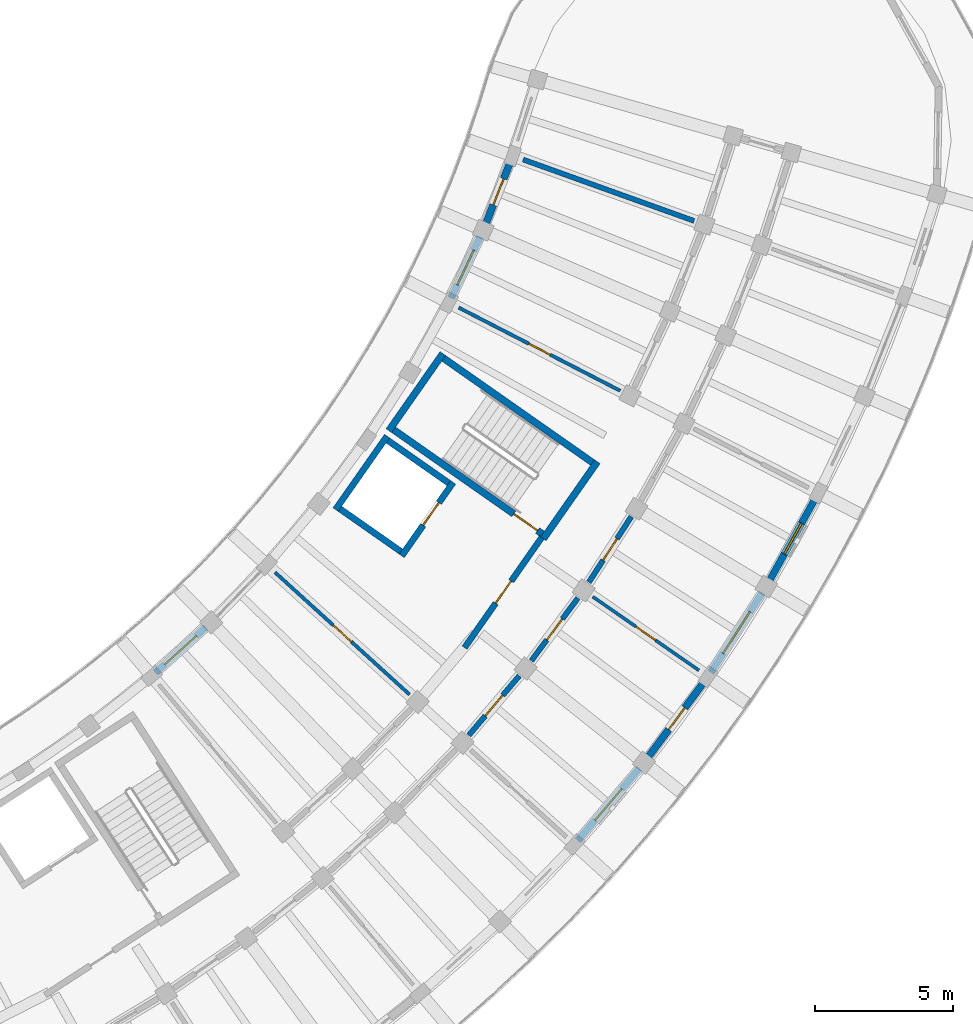
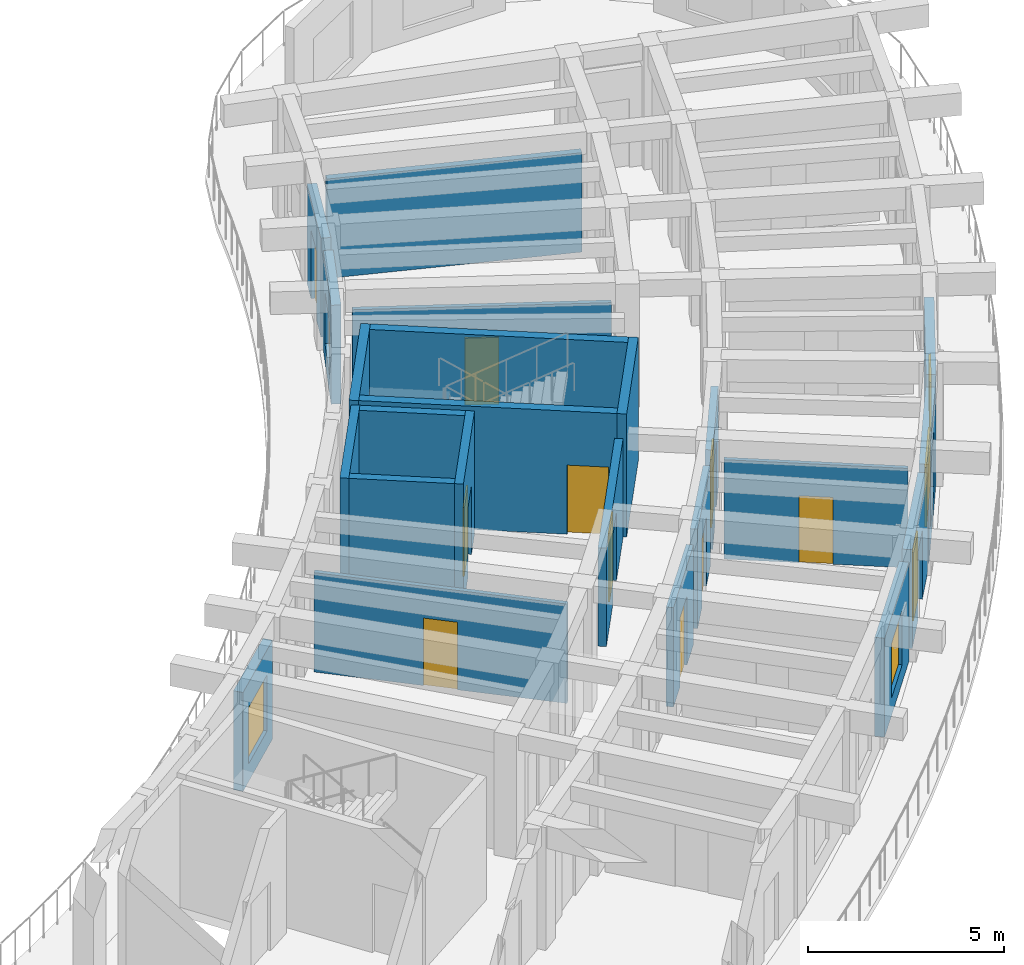
# One storey, part 96 of 128: 23 walls, 11 doors, 5 windows, 16 openings.
"""IFC4 building model written with IfcOpenShell, lengths in metres."""

from ifc_helpers import new_model, si_unit, direction, frame, frame_2d, origin, place, context, subcontext, project, spatial, rectangle, extrude, material, layer, layer_set, type_object, element, fill, save


model = new_model("IFC4")

# Units and contexts
model_context = context("Model", 3, precision=1e-05, world=origin(), true_north=direction((0.0, 1.0)))
body_context = subcontext(model_context, "Body", "Model", "MODEL_VIEW")
ifc_project = project(units=[si_unit("LENGTHUNIT", "METRE"), si_unit("AREAUNIT", "SQUARE_METRE"), si_unit("VOLUMEUNIT", "CUBIC_METRE"), si_unit("PLANEANGLEUNIT", "RADIAN"), si_unit("MASSUNIT", "GRAM", prefix="KILO")], contexts=[model_context])

# Site, building, storey
site_placement = place(None, origin())
site = spatial("IfcSite", under=ifc_project, at=site_placement, CompositionType="ELEMENT")
building_placement = place(site_placement, origin())
building = spatial("IfcBuilding", under=site, at=building_placement, Name="Tanwirah Colonnade Gardens", CompositionType="ELEMENT")
storey_placement = place(building_placement, frame((0.0, 0.0, 4.760009765625)))
storey = spatial("IfcBuildingStorey", under=building, at=storey_placement, Name="L01", CompositionType="ELEMENT", Elevation=4.760009765625)

# Wall, opening, window
ifc_material_1 = material(Name="Limestone architectural precast concrete C40/50", Category="masonry")
ifc_layer_1 = layer(ifc_material_1, 0.260009765625)
ifc_layer_set_1 = layer_set([ifc_layer_1], Name="Limestone architectural precast concrete C40/50")
wall_type_1 = type_object("IfcWallType", Name="EW-PC260", PredefinedType="SOLIDWALL", material=ifc_layer_set_1)
wall_1_placement = place(storey_placement, frame((149.857421875, 30.698486328125, 0.0), z_axis=(0.0, 0.0, 1.0), x_axis=(0.741710549699, 0.670720105905, 0.0)))
wall_1 = element("IfcWall", 1, at=wall_1_placement, inside=storey, type_object=wall_type_1, Name="Block D L01 IN Precast Facade Wall 7", PredefinedType="SOLIDWALL", context=body_context, shape_type="SweptSolid", body=[
    extrude(rectangle(XDim=2.44873046875, YDim=0.260009765625, at=frame_2d((1.224365234375, 0.0))), origin(), (0.0, 0.0, 1.0), 3.074951171875),
])
opening_1_placement = place(wall_1_placement, frame((0.449462890625, 0.0, 0.550048828125)))
opening_1 = element("IfcOpeningElement", 2, at=opening_1_placement, cuts=wall_1, Name="Opening WIN-T09", PredefinedType="OPENING", context=body_context, shape_type="SweptSolid", body=[
    extrude(rectangle(XDim=1.550048828125, YDim=1.75, at=frame_2d((0.77490234375, 0.875))), frame((0.0, 0.139892578125, 0.0), z_axis=(0.0, -1.0, 0.0), x_axis=(1.0, 0.0, 0.0)), (0.0, 0.0, 1.0), 0.280029296875),
])
ifc_material_2 = material(Name="Thermally broken bronze aluminium and solar low-E double glazing", Category="aluminium")
window_type_1 = type_object("IfcWindowType", Name="WIN-T09", PartitioningType="DOUBLE_PANEL_VERTICAL", PredefinedType="WINDOW", material=ifc_material_2)
window_1_placement = place(opening_1_placement, origin())
window_1 = element("IfcWindow", 3, at=window_1_placement, inside=storey, type_object=window_type_1, Name="Facade window D-L01-IN-07", OverallHeight=1.75, OverallWidth=1.550048828125, PartitioningType="SINGLE_PANEL", PredefinedType="WINDOW", context=body_context, shape_type="SweptSolid", body=[
    extrude(rectangle(XDim=1.550048828125, YDim=1.75, at=frame_2d((0.77490234375, 0.875))), frame((0.0, 0.030029296875, 0.0), z_axis=(0.0, -1.0, 0.0), x_axis=(1.0, 0.0, 0.0)), (0.0, 0.0, 1.0), 0.06005859375),
])
fill(opening_1, window_1)

wall_2_placement = place(storey_placement, frame((165.199951171875, 24.6015625, 0.0), z_axis=(0.0, 0.0, 1.0), x_axis=(0.6477968765, 0.7618131049, 0.0)))
wall_2 = element("IfcWall", 4, at=wall_2_placement, inside=storey, type_object=wall_type_1, Name="Block D L01 OUT Precast Facade Wall 9", PredefinedType="SOLIDWALL", context=body_context, shape_type="SweptSolid", body=[
    extrude(rectangle(XDim=3.436767578125, YDim=0.260009765625, at=frame_2d((1.71826171875, 0.0))), origin(), (0.0, 0.0, 1.0), 3.074951171875),
])
opening_2_placement = place(wall_2_placement, frame((0.968505859375, 0.0, 0.550048828125)))
opening_2 = element("IfcOpeningElement", 5, at=opening_2_placement, cuts=wall_2, Name="Opening WIN-T08", PredefinedType="OPENING", context=body_context, shape_type="SweptSolid", body=[
    extrude(rectangle(XDim=1.5, YDim=1.699951171875, at=frame_2d((0.75, 0.85009765625))), frame((0.0, 0.139892578125, 0.0), z_axis=(0.0, -1.0, 0.0), x_axis=(1.0, 0.0, 0.0)), (0.0, 0.0, 1.0), 0.280029296875),
])
window_type_2 = type_object("IfcWindowType", Name="WIN-T08", PartitioningType="DOUBLE_PANEL_VERTICAL", PredefinedType="WINDOW", material=ifc_material_2)
window_2_placement = place(opening_2_placement, origin())
window_2 = element("IfcWindow", 6, at=window_2_placement, inside=storey, type_object=window_type_2, Name="Facade window D-L01-OUT-09", OverallHeight=1.699951171875, OverallWidth=1.5, PartitioningType="SINGLE_PANEL", PredefinedType="WINDOW", context=body_context, shape_type="SweptSolid", body=[
    extrude(rectangle(XDim=1.5, YDim=1.699951171875, at=frame_2d((0.75, 0.85009765625))), frame((0.0, 0.030029296875, 0.0), z_axis=(0.0, -1.0, 0.0), x_axis=(1.0, 0.0, 0.0)), (0.0, 0.0, 1.0), 0.06005859375),
])
fill(opening_2, window_2)

# Wall, opening, door
wall_3_placement = place(storey_placement, frame((167.768310546875, 27.64990234375, 0.0), z_axis=(0.0, 0.0, 1.0), x_axis=(0.596562008048, 0.802566988203, 0.0)))
wall_3 = element("IfcWall", 7, at=wall_3_placement, inside=storey, type_object=wall_type_1, Name="Block D L01 OUT Precast Facade Wall 10", PredefinedType="SOLIDWALL", context=body_context, shape_type="SweptSolid", body=[
    extrude(rectangle(XDim=3.436767578125, YDim=0.260009765625, at=frame_2d((1.71826171875, 0.0))), origin(), (0.0, 0.0, 1.0), 3.074951171875),
])
opening_3_placement = place(wall_3_placement, frame((1.228515625, 0.0, 0.0)))
opening_3 = element("IfcOpeningElement", 8, at=opening_3_placement, cuts=wall_3, Name="Opening L01-ED179", PredefinedType="OPENING", context=body_context, shape_type="SweptSolid", body=[
    extrude(rectangle(XDim=0.97998046875, YDim=2.1201171875, at=frame_2d((0.489990234375, 1.06005859375))), frame((0.0, 0.139892578125, 0.0), z_axis=(0.0, -1.0, 0.0), x_axis=(1.0, 0.0, 0.0)), (0.0, 0.0, 1.0), 0.280029296875),
])
ifc_material_3 = material(Name="Bronze aluminium glazed balcony door", Category="aluminium")
door_type_1 = type_object("IfcDoorType", Name="ED-BAL098", OperationType="NOTDEFINED", PredefinedType="DOOR", material=ifc_material_3)
door_1_placement = place(opening_3_placement, origin())
door_1 = element("IfcDoor", 9, at=door_1_placement, inside=storey, type_object=door_type_1, Name="Balcony glazed door L01-ED179", OperationType="SINGLE_SWING_RIGHT", OverallHeight=2.1201171875, OverallWidth=0.97998046875, PredefinedType="DOOR", context=body_context, shape_type="SweptSolid", body=[
    extrude(rectangle(XDim=0.97998046875, YDim=2.1201171875, at=frame_2d((0.489990234375, 1.06005859375))), frame((0.0, 0.02490234375, 0.0), z_axis=(0.0, -1.0, 0.0), x_axis=(1.0, 0.0, 0.0)), (0.0, 0.0, 1.0), 0.050048828125),
])
fill(opening_3, door_1)

# Wall, opening, window
wall_4_placement = place(storey_placement, frame((170.029541015625, 30.712158203125, 0.0), z_axis=(0.0, 0.0, 1.0), x_axis=(0.54279171039, 0.839867346152, 0.0)))
wall_4 = element("IfcWall", 10, at=wall_4_placement, inside=storey, type_object=wall_type_1, Name="Block D L01 OUT Precast Facade Wall 11", PredefinedType="SOLIDWALL", context=body_context, shape_type="SweptSolid", body=[
    extrude(rectangle(XDim=3.436767578125, YDim=0.260009765625, at=frame_2d((1.71826171875, 0.0))), origin(), (0.0, 0.0, 1.0), 3.074951171875),
])
opening_4_placement = place(wall_4_placement, frame((0.818359375, 0.0, 0.550048828125)))
opening_4 = element("IfcOpeningElement", 11, at=opening_4_placement, cuts=wall_4, Name="Opening WIN-T14", PredefinedType="OPENING", context=body_context, shape_type="SweptSolid", body=[
    extrude(rectangle(XDim=1.800048828125, YDim=1.85009765625, at=frame_2d((0.89990234375, 0.925048828125))), frame((0.0, 0.139892578125, 0.0), z_axis=(0.0, -1.0, 0.0), x_axis=(1.0, 0.0, 0.0)), (0.0, 0.0, 1.0), 0.280029296875),
])
window_type_3 = type_object("IfcWindowType", Name="WIN-T14", PartitioningType="TRIPLE_PANEL_VERTICAL", PredefinedType="WINDOW", material=ifc_material_2)
window_3_placement = place(opening_4_placement, origin())
window_3 = element("IfcWindow", 12, at=window_3_placement, inside=storey, type_object=window_type_3, Name="Facade window D-L01-OUT-11", OverallHeight=1.85009765625, OverallWidth=1.800048828125, PartitioningType="SINGLE_PANEL", PredefinedType="WINDOW", context=body_context, shape_type="SweptSolid", body=[
    extrude(rectangle(XDim=1.800048828125, YDim=1.85009765625, at=frame_2d((0.89990234375, 0.925048828125))), frame((0.0, 0.030029296875, 0.0), z_axis=(0.0, -1.0, 0.0), x_axis=(1.0, 0.0, 0.0)), (0.0, 0.0, 1.0), 0.06005859375),
])
fill(opening_4, window_3)

wall_5_placement = place(storey_placement, frame((172.17822265625, 34.06982421875, 0.0), z_axis=(0.0, 0.0, 1.0), x_axis=(0.486692090279, 0.873573585486, 0.0)))
wall_5 = element("IfcWall", 13, at=wall_5_placement, inside=storey, type_object=wall_type_1, Name="Block D L01 OUT Precast Facade Wall 12", PredefinedType="SOLIDWALL", context=body_context, shape_type="SweptSolid", body=[
    extrude(rectangle(XDim=3.436767578125, YDim=0.260009765625, at=frame_2d((1.71826171875, 0.0))), origin(), (0.0, 0.0, 1.0), 3.074951171875),
])
opening_5_placement = place(wall_5_placement, frame((1.078369140625, 0.0, 0.550048828125)))
opening_5 = element("IfcOpeningElement", 14, at=opening_5_placement, cuts=wall_5, Name="Opening WIN-T17", PredefinedType="OPENING", context=body_context, shape_type="SweptSolid", body=[
    extrude(rectangle(XDim=1.280029296875, YDim=1.52001953125, at=frame_2d((0.64013671875, 0.760009765625))), frame((0.0, 0.139892578125, 0.0), z_axis=(0.0, -1.0, 0.0), x_axis=(1.0, 0.0, 0.0)), (0.0, 0.0, 1.0), 0.280029296875),
])
window_type_4 = type_object("IfcWindowType", Name="WIN-T17", PartitioningType="SINGLE_PANEL", PredefinedType="WINDOW", material=ifc_material_2)
window_4_placement = place(opening_5_placement, origin())
window_4 = element("IfcWindow", 15, at=window_4_placement, inside=storey, type_object=window_type_4, Name="Facade window D-L01-OUT-12", OverallHeight=1.52001953125, OverallWidth=1.280029296875, PartitioningType="SINGLE_PANEL", PredefinedType="WINDOW", context=body_context, shape_type="SweptSolid", body=[
    extrude(rectangle(XDim=1.280029296875, YDim=1.52001953125, at=frame_2d((0.64013671875, 0.760009765625))), frame((0.0, 0.030029296875, 0.0), z_axis=(0.0, -1.0, 0.0), x_axis=(1.0, 0.0, 0.0)), (0.0, 0.0, 1.0), 0.06005859375),
])
fill(opening_5, window_4)

wall_6_placement = place(storey_placement, frame((160.59619140625, 44.314697265625, 0.0), z_axis=(0.0, 0.0, 1.0), x_axis=(0.42853203261, 0.903526588998, 0.0)))
wall_6 = element("IfcWall", 16, at=wall_6_placement, inside=storey, type_object=wall_type_1, Name="Block D L01 IN Precast Facade Wall 13", PredefinedType="SOLIDWALL", context=body_context, shape_type="SweptSolid", body=[
    extrude(rectangle(XDim=2.44873046875, YDim=0.260009765625, at=frame_2d((1.224365234375, 0.0))), origin(), (0.0, 0.0, 1.0), 3.074951171875),
])
opening_6_placement = place(wall_6_placement, frame((0.5244140625, 0.0, 0.550048828125)))
opening_6 = element("IfcOpeningElement", 17, at=opening_6_placement, cuts=wall_6, Name="Opening WIN-U07", PredefinedType="OPENING", context=body_context, shape_type="SweptSolid", body=[
    extrude(rectangle(XDim=1.39990234375, YDim=1.635009765625, at=frame_2d((0.699951171875, 0.8173828125))), frame((0.0, 0.139892578125, 0.0), z_axis=(0.0, -1.0, 0.0), x_axis=(1.0, 0.0, 0.0)), (0.0, 0.0, 1.0), 0.280029296875),
])
window_type_5 = type_object("IfcWindowType", Name="WIN-U07", PartitioningType="DOUBLE_PANEL_VERTICAL", PredefinedType="WINDOW", material=ifc_material_2)
window_5_placement = place(opening_6_placement, origin())
window_5 = element("IfcWindow", 18, at=window_5_placement, inside=storey, type_object=window_type_5, Name="Facade window D-L01-IN-13", OverallHeight=1.635009765625, OverallWidth=1.39990234375, PartitioningType="SINGLE_PANEL", PredefinedType="WINDOW", context=body_context, shape_type="SweptSolid", body=[
    extrude(rectangle(XDim=1.39990234375, YDim=1.635009765625, at=frame_2d((0.699951171875, 0.8173828125))), frame((0.0, 0.030029296875, 0.0), z_axis=(0.0, -1.0, 0.0), x_axis=(1.0, 0.0, 0.0)), (0.0, 0.0, 1.0), 0.06005859375),
])
fill(opening_6, window_5)

# Wall, opening, door
wall_7_placement = place(storey_placement, frame((161.86474609375, 47.03125, 0.0), z_axis=(0.0, 0.0, 1.0), x_axis=(0.368500941406, 0.92962737491, 0.0)))
wall_7 = element("IfcWall", 19, at=wall_7_placement, inside=storey, type_object=wall_type_1, Name="Block D L01 IN Precast Facade Wall 14", PredefinedType="SOLIDWALL", context=body_context, shape_type="SweptSolid", body=[
    extrude(rectangle(XDim=2.44873046875, YDim=0.260009765625, at=frame_2d((1.224365234375, 0.0))), origin(), (0.0, 0.0, 1.0), 3.074951171875),
])
opening_7_placement = place(wall_7_placement, frame((0.71435546875, 0.0, 0.0)))
opening_7 = element("IfcOpeningElement", 20, at=opening_7_placement, cuts=wall_7, Name="Opening L01-ED180", PredefinedType="OPENING", context=body_context, shape_type="SweptSolid", body=[
    extrude(rectangle(XDim=1.02001953125, YDim=2.139892578125, at=frame_2d((0.510009765625, 1.06982421875))), frame((0.0, 0.139892578125, 0.0), z_axis=(0.0, -1.0, 0.0), x_axis=(1.0, 0.0, 0.0)), (0.0, 0.0, 1.0), 0.280029296875),
])
door_type_2 = type_object("IfcDoorType", Name="ED-BAL102", OperationType="NOTDEFINED", PredefinedType="DOOR", material=ifc_material_3)
door_2_placement = place(opening_7_placement, origin())
door_2 = element("IfcDoor", 21, at=door_2_placement, inside=storey, type_object=door_type_2, Name="Balcony glazed door L01-ED180", OperationType="SINGLE_SWING_RIGHT", OverallHeight=2.139892578125, OverallWidth=1.02001953125, PredefinedType="DOOR", context=body_context, shape_type="SweptSolid", body=[
    extrude(rectangle(XDim=1.02001953125, YDim=2.139892578125, at=frame_2d((0.510009765625, 1.06982421875))), frame((0.0, 0.02490234375, 0.0), z_axis=(0.0, -1.0, 0.0), x_axis=(1.0, 0.0, 0.0)), (0.0, 0.0, 1.0), 0.050048828125),
])
fill(opening_7, door_2)

ifc_material_4 = material(Name="Precast concrete C40/50", Category="concrete")
ifc_layer_2 = layer(ifc_material_4, 0.195068359375)
ifc_layer_set_2 = layer_set([ifc_layer_2], Name="Precast concrete C40/50")
wall_type_2 = type_object("IfcWallType", Name="IW-CORR195", PredefinedType="PARTITIONING", material=ifc_layer_set_2)
wall_8_placement = place(storey_placement, frame((161.235595703125, 28.42529296875, 0.0), z_axis=(0.0, 0.0, 1.0), x_axis=(0.64778830669, 0.761820392032, 0.0)))
wall_8 = element("IfcWall", 22, at=wall_8_placement, inside=storey, type_object=wall_type_2, Name="Block D L01 OUT Corridor Wall 9", PredefinedType="PARTITIONING", context=body_context, shape_type="SweptSolid", body=[
    extrude(rectangle(XDim=2.8369140625, YDim=0.195068359375, at=frame_2d((1.41845703125, 0.0))), origin(), (0.0, 0.0, 1.0), 3.090087890625),
])
opening_8_placement = place(wall_8_placement, frame((0.93359375, 0.0, 0.0)))
opening_8 = element("IfcOpeningElement", 23, at=opening_8_placement, cuts=wall_8, Name="Opening L01-AD1708", PredefinedType="OPENING", context=body_context, shape_type="SweptSolid", body=[
    extrude(rectangle(XDim=0.969970703125, YDim=2.14990234375, at=frame_2d((0.48486328125, 1.074951171875))), frame((0.0, 0.107421875, 0.0), z_axis=(0.0, -1.0, 0.0), x_axis=(1.0, 0.0, 0.0)), (0.0, 0.0, 1.0), 0.215087890625),
])
ifc_material_5 = material(Name="Solid oak fire-resisting apartment entrance door")
door_type_3 = type_object("IfcDoorType", Name="ID-FLT097", OperationType="NOTDEFINED", PredefinedType="DOOR", material=ifc_material_5)
door_3_placement = place(opening_8_placement, origin())
door_3 = element("IfcDoor", 24, at=door_3_placement, inside=storey, type_object=door_type_3, Name="Apartment corridor door L01-AD1708", OperationType="SINGLE_SWING_LEFT", OverallHeight=2.14990234375, OverallWidth=0.969970703125, PredefinedType="DOOR", context=body_context, shape_type="SweptSolid", body=[
    extrude(rectangle(XDim=0.969970703125, YDim=2.14990234375, at=frame_2d((0.48486328125, 1.074951171875))), frame((0.0, 0.02490234375, 0.0), z_axis=(0.0, -1.0, 0.0), x_axis=(1.0, 0.0, 0.0)), (0.0, 0.0, 1.0), 0.050048828125),
])
fill(opening_8, door_3)

wall_9_placement = place(storey_placement, frame((163.5087890625, 31.134033203125, 0.0), z_axis=(0.0, 0.0, 1.0), x_axis=(0.596552136601, 0.802574325727, 0.0)))
wall_9 = element("IfcWall", 25, at=wall_9_placement, inside=storey, type_object=wall_type_2, Name="Block D L01 OUT Corridor Wall 10", PredefinedType="PARTITIONING", context=body_context, shape_type="SweptSolid", body=[
    extrude(rectangle(XDim=2.8369140625, YDim=0.195068359375, at=frame_2d((1.41845703125, 0.0))), origin(), (0.0, 0.0, 1.0), 3.090087890625),
])
opening_9_placement = place(wall_9_placement, frame((0.943603515625, 0.0, 0.0)))
opening_9 = element("IfcOpeningElement", 26, at=opening_9_placement, cuts=wall_9, Name="Opening L01-AD1709", PredefinedType="OPENING", context=body_context, shape_type="SweptSolid", body=[
    extrude(rectangle(XDim=0.949951171875, YDim=2.1298828125, at=frame_2d((0.47509765625, 1.06494140625))), frame((0.0, 0.107421875, 0.0), z_axis=(0.0, -1.0, 0.0), x_axis=(1.0, 0.0, 0.0)), (0.0, 0.0, 1.0), 0.215087890625),
])
door_type_4 = type_object("IfcDoorType", Name="ID-FLT095", OperationType="NOTDEFINED", PredefinedType="DOOR", material=ifc_material_5)
door_4_placement = place(opening_9_placement, origin())
door_4 = element("IfcDoor", 27, at=door_4_placement, inside=storey, type_object=door_type_4, Name="Apartment corridor door L01-AD1709", OperationType="SINGLE_SWING_RIGHT", OverallHeight=2.1298828125, OverallWidth=0.949951171875, PredefinedType="DOOR", context=body_context, shape_type="SweptSolid", body=[
    extrude(rectangle(XDim=0.949951171875, YDim=2.1298828125, at=frame_2d((0.47509765625, 1.06494140625))), frame((0.0, 0.02490234375, 0.0), z_axis=(0.0, -1.0, 0.0), x_axis=(1.0, 0.0, 0.0)), (0.0, 0.0, 1.0), 0.050048828125),
])
fill(opening_9, door_4)

wall_10_placement = place(storey_placement, frame((165.60009765625, 33.985595703125, 0.0), z_axis=(0.0, 0.0, 1.0), x_axis=(0.542787304957, 0.83987019329, 0.0)))
wall_10 = element("IfcWall", 28, at=wall_10_placement, inside=storey, type_object=wall_type_2, Name="Block D L01 OUT Corridor Wall 11", PredefinedType="PARTITIONING", context=body_context, shape_type="SweptSolid", body=[
    extrude(rectangle(XDim=2.8369140625, YDim=0.195068359375, at=frame_2d((1.41845703125, 0.0))), origin(), (0.0, 0.0, 1.0), 3.090087890625),
])
opening_10_placement = place(wall_10_placement, frame((0.95361328125, 0.0, 0.0)))
opening_10 = element("IfcOpeningElement", 29, at=opening_10_placement, cuts=wall_10, Name="Opening L01-AD1711", PredefinedType="OPENING", context=body_context, shape_type="SweptSolid", body=[
    extrude(rectangle(XDim=0.929931640625, YDim=2.1201171875, at=frame_2d((0.46484375, 1.06005859375))), frame((0.0, 0.107421875, 0.0), z_axis=(0.0, -1.0, 0.0), x_axis=(1.0, 0.0, 0.0)), (0.0, 0.0, 1.0), 0.215087890625),
])
door_type_5 = type_object("IfcDoorType", Name="ID-FLT093", OperationType="NOTDEFINED", PredefinedType="DOOR", material=ifc_material_5)
door_5_placement = place(opening_10_placement, origin())
door_5 = element("IfcDoor", 30, at=door_5_placement, inside=storey, type_object=door_type_5, Name="Apartment corridor door L01-AD1711", OperationType="SINGLE_SWING_LEFT", OverallHeight=2.1201171875, OverallWidth=0.929931640625, PredefinedType="DOOR", context=body_context, shape_type="SweptSolid", body=[
    extrude(rectangle(XDim=0.929931640625, YDim=2.1201171875, at=frame_2d((0.46484375, 1.06005859375))), frame((0.0, 0.02490234375, 0.0), z_axis=(0.0, -1.0, 0.0), x_axis=(1.0, 0.0, 0.0)), (0.0, 0.0, 1.0), 0.050048828125),
])
fill(opening_10, door_5)

# Wall
ifc_layer_3 = layer(ifc_material_4, 0.18505859375)
ifc_layer_set_3 = layer_set([ifc_layer_3], Name="Precast concrete C40/50")
wall_type_3 = type_object("IfcWallType", Name="IW-DEM185", PredefinedType="PARTITIONING", material=ifc_layer_set_3)
wall_11_placement = place(storey_placement, frame((163.211669921875, 49.344482421875, 0.0), z_axis=(0.0, 0.0, 1.0), x_axis=(0.941179890997, -0.337905922978, 0.0)))
element("IfcWall", 31, at=wall_11_placement, inside=storey, type_object=wall_type_3, Name="Block D L01 Inner Radial Partition 14", PredefinedType="PARTITIONING", context=body_context, shape_type="SweptSolid", body=[
    extrude(rectangle(XDim=6.60009765625, YDim=0.18505859375, at=frame_2d((3.300048828125, 0.0))), origin(), (0.0, 0.0, 1.0), 3.090087890625),
])

# Wall, opening, door
ifc_material_6 = material(Name="Autoclaved aerated masonry blockwork", Category="masonry")
ifc_layer_4 = layer(ifc_material_6, 0.219970703125)
ifc_layer_set_4 = layer_set([ifc_layer_4], Name="Autoclaved aerated masonry blockwork")
wall_type_4 = type_object("IfcWallType", Name="IW-FFL220", PredefinedType="PARTITIONING", material=ifc_layer_set_4)
wall_12_placement = place(storey_placement, frame((163.89501953125, 35.624267578125, 0.0), z_axis=(0.0, 0.0, 1.0), x_axis=(-0.573572687386, -0.819154669329, 0.0)))
wall_12 = element("IfcWall", 32, at=wall_12_placement, inside=storey, type_object=wall_type_4, Name="CORE-D2 L01 Enclosed Lobby Fire Wall", PredefinedType="PARTITIONING", context=body_context, shape_type="SweptSolid", body=[
    extrude(rectangle(XDim=4.900146484375, YDim=0.219970703125, at=frame_2d((2.4501953125, 0.0))), origin(), (0.0, 0.0, 1.0), 3.06005859375),
])
opening_11_placement = place(wall_12_placement, frame((1.949951171875, 0.0, 0.0)))
opening_11 = element("IfcOpeningElement", 33, at=opening_11_placement, cuts=wall_12, Name="Opening L01-LD201", PredefinedType="OPENING", context=body_context, shape_type="SweptSolid", body=[
    extrude(rectangle(XDim=0.97998046875, YDim=2.139892578125, at=frame_2d((0.489990234375, 1.06982421875))), frame((0.0, 0.119873046875, 0.0), z_axis=(0.0, -1.0, 0.0), x_axis=(1.0, 0.0, 0.0)), (0.0, 0.0, 1.0), 0.239990234375),
])
ifc_material_7 = material(Name="Acoustic fire-resisting lobby door")
door_type_6 = type_object("IfcDoorType", Name="ID-FFL098", OperationType="NOTDEFINED", PredefinedType="DOOR", material=ifc_material_7)
door_6_placement = place(opening_11_placement, origin())
door_6 = element("IfcDoor", 34, at=door_6_placement, inside=storey, type_object=door_type_6, Name="CORE-D2 L01 Lobby Fire Door L01-LD201", OperationType="SINGLE_SWING_RIGHT", OverallHeight=2.139892578125, OverallWidth=0.97998046875, PredefinedType="DOOR", context=body_context, shape_type="SweptSolid", body=[
    extrude(rectangle(XDim=0.97998046875, YDim=2.139892578125, at=frame_2d((0.489990234375, 1.06982421875))), frame((0.0, 0.02490234375, 0.0), z_axis=(0.0, -1.0, 0.0), x_axis=(1.0, 0.0, 0.0)), (0.0, 0.0, 1.0), 0.050048828125),
])
fill(opening_11, door_6)

ifc_material_8 = material(Name="Acoustic gypsum stud partition")
ifc_layer_5 = layer(ifc_material_8, 0.114990234375)
ifc_layer_set_5 = layer_set([ifc_layer_5], Name="Acoustic gypsum stud partition")
wall_type_5 = type_object("IfcWallType", Name="IW-INT115", PredefinedType="PARTITIONING", material=ifc_layer_set_5)
wall_13_placement = place(storey_placement, frame((165.73876953125, 33.463623046875, 0.0), z_axis=(0.0, 0.0, 1.0), x_axis=(0.821638260647, -0.570009270663, 0.0)))
wall_13 = element("IfcWall", 35, at=wall_13_placement, inside=storey, type_object=wall_type_5, Name="Block D L01 Radial Partition 10", PredefinedType="PARTITIONING", context=body_context, shape_type="SweptSolid", body=[
    extrude(rectangle(XDim=4.699951171875, YDim=0.114990234375, at=frame_2d((2.35009765625, 0.0))), origin(), (0.0, 0.0, 1.0), 3.090087890625),
])
opening_12_placement = place(wall_13_placement, frame((1.9150390625, 0.0, 0.0)))
opening_12 = element("IfcOpeningElement", 36, at=opening_12_placement, cuts=wall_13, Name="Opening L01-RD1710", PredefinedType="OPENING", context=body_context, shape_type="SweptSolid", body=[
    extrude(rectangle(XDim=0.8701171875, YDim=2.080078125, at=frame_2d((0.43505859375, 1.0400390625))), frame((0.0, 0.0673828125, 0.0), z_axis=(0.0, -1.0, 0.0), x_axis=(1.0, 0.0, 0.0)), (0.0, 0.0, 1.0), 0.135009765625),
])
ifc_material_9 = material(Name="Painted hardwood study door", Category="wood")
door_type_7 = type_object("IfcDoorType", Name="ID-RM087", OperationType="NOTDEFINED", PredefinedType="DOOR", material=ifc_material_9)
door_7_placement = place(opening_12_placement, origin())
door_7 = element("IfcDoor", 37, at=door_7_placement, inside=storey, type_object=door_type_7, Name="Internal apartment door L01-RD1710", OperationType="SINGLE_SWING_RIGHT", OverallHeight=2.080078125, OverallWidth=0.8701171875, PredefinedType="DOOR", context=body_context, shape_type="SweptSolid", body=[
    extrude(rectangle(XDim=0.8701171875, YDim=2.080078125, at=frame_2d((0.43505859375, 1.0400390625))), frame((0.0, 0.02490234375, 0.0), z_axis=(0.0, -1.0, 0.0), x_axis=(1.0, 0.0, 0.0)), (0.0, 0.0, 1.0), 0.050048828125),
])
fill(opening_12, door_7)

ifc_material_10 = material(Name="Moisture-resistant gypsum stud partition")
ifc_layer_6 = layer(ifc_material_10, 0.125)
ifc_layer_set_6 = layer_set([ifc_layer_6], Name="Moisture-resistant gypsum stud partition")
wall_type_6 = type_object("IfcWallType", Name="IW-INT125", PredefinedType="PARTITIONING", material=ifc_layer_set_6)
wall_14_placement = place(storey_placement, frame((154.19873046875, 34.34423828125, 0.0), z_axis=(0.0, 0.0, 1.0), x_axis=(0.74023124711, -0.672352363573, 0.0)))
wall_14 = element("IfcWall", 38, at=wall_14_placement, inside=storey, type_object=wall_type_6, Name="Block D L01 Inner Radial Partition 8", PredefinedType="PARTITIONING", context=body_context, shape_type="SweptSolid", body=[
    extrude(rectangle(XDim=6.599853515625, YDim=0.125, at=frame_2d((3.2998046875, 0.0))), origin(), (0.0, 0.0, 1.0), 3.090087890625),
])
opening_13_placement = place(wall_14_placement, frame((2.85498046875, 0.0, 0.0)))
opening_13 = element("IfcOpeningElement", 39, at=opening_13_placement, cuts=wall_14, Name="Opening L01-RD1707", PredefinedType="OPENING", context=body_context, shape_type="SweptSolid", body=[
    extrude(rectangle(XDim=0.889892578125, YDim=2.10009765625, at=frame_2d((0.44482421875, 1.050048828125))), frame((0.0, 0.072509765625, 0.0), z_axis=(0.0, -1.0, 0.0), x_axis=(1.0, 0.0, 0.0)), (0.0, 0.0, 1.0), 0.14501953125),
])
ifc_material_11 = material(Name="Painted hardwood bedroom door", Category="wood")
door_type_8 = type_object("IfcDoorType", Name="ID-RM089", OperationType="NOTDEFINED", PredefinedType="DOOR", material=ifc_material_11)
door_8_placement = place(opening_13_placement, origin())
door_8 = element("IfcDoor", 40, at=door_8_placement, inside=storey, type_object=door_type_8, Name="Internal apartment door L01-RD1707", OperationType="SINGLE_SWING_LEFT", OverallHeight=2.10009765625, OverallWidth=0.889892578125, PredefinedType="DOOR", context=body_context, shape_type="SweptSolid", body=[
    extrude(rectangle(XDim=0.889892578125, YDim=2.10009765625, at=frame_2d((0.44482421875, 1.050048828125))), frame((0.0, 0.02490234375, 0.0), z_axis=(0.0, -1.0, 0.0), x_axis=(1.0, 0.0, 0.0)), (0.0, 0.0, 1.0), 0.050048828125),
])
fill(opening_13, door_8)

wall_15_placement = place(storey_placement, frame((160.872314453125, 43.96435546875, 0.0), z_axis=(0.0, 0.0, 1.0), x_axis=(0.889022010753, -0.457864460727, 0.0)))
wall_15 = element("IfcWall", 41, at=wall_15_placement, inside=storey, type_object=wall_type_6, Name="Block D L01 Inner Radial Partition 12", PredefinedType="PARTITIONING", context=body_context, shape_type="SweptSolid", body=[
    extrude(rectangle(XDim=6.60009765625, YDim=0.125, at=frame_2d((3.300048828125, 0.0))), origin(), (0.0, 0.0, 1.0), 3.090087890625),
])
opening_14_placement = place(wall_15_placement, frame((2.864990234375, 0.0, 0.0)))
opening_14 = element("IfcOpeningElement", 42, at=opening_14_placement, cuts=wall_15, Name="Opening L01-RD1714", PredefinedType="OPENING", context=body_context, shape_type="SweptSolid", body=[
    extrude(rectangle(XDim=0.8701171875, YDim=2.080078125, at=frame_2d((0.43505859375, 1.0400390625))), frame((0.0, 0.072509765625, 0.0), z_axis=(0.0, -1.0, 0.0), x_axis=(1.0, 0.0, 0.0)), (0.0, 0.0, 1.0), 0.14501953125),
])
door_9_placement = place(opening_14_placement, origin())
door_9 = element("IfcDoor", 43, at=door_9_placement, inside=storey, type_object=door_type_7, Name="Internal apartment door L01-RD1714", OperationType="SINGLE_SWING_LEFT", OverallHeight=2.080078125, OverallWidth=0.8701171875, PredefinedType="DOOR", context=body_context, shape_type="SweptSolid", body=[
    extrude(rectangle(XDim=0.8701171875, YDim=2.080078125, at=frame_2d((0.43505859375, 1.0400390625))), frame((0.0, 0.02490234375, 0.0), z_axis=(0.0, -1.0, 0.0), x_axis=(1.0, 0.0, 0.0)), (0.0, 0.0, 1.0), 0.050048828125),
])
fill(opening_14, door_9)

# Walls
ifc_material_12 = material(Name="Concrete C45/55", Category="concrete")
ifc_layer_7 = layer(ifc_material_12, 0.25)
ifc_layer_set_7 = layer_set([ifc_layer_7], Name="Concrete C45/55")
wall_type_7 = type_object("IfcWallType", Name="SW-CORE250", PredefinedType="SHEAR", material=ifc_layer_set_7)
wall_16_placement = place(storey_placement, frame((165.732666015625, 38.335693359375, 0.0), z_axis=(0.0, 0.0, 1.0), x_axis=(-0.819153711596, 0.573574055182, 0.0)))
element("IfcWall", 44, at=wall_16_placement, inside=storey, type_object=wall_type_7, Name="CORE-D2 L01 Stair Shaft Shear Wall LEFT", PredefinedType="SHEAR", context=body_context, shape_type="SweptSolid", body=[
    extrude(rectangle(XDim=6.60009765625, YDim=0.25, at=frame_2d((3.300048828125, 0.0))), origin(), (0.0, 0.0, 1.0), 3.830078125),
])
for number, where, z_axis, x_axis, name in (
    (45, (160.29541015625, 42.29541015625, 0.0), (0.0, 0.0, 1.0), (-0.573582112484, -0.819148069789, 0.0), "CORE-D2 L01 Stair Shaft Shear Wall FAR"),
    (46, (165.90673828125, 38.366455078125, 0.0), (0.0, 0.0, 1.0), (-0.573582112484, -0.819148069789, 0.0), "CORE-D2 L01 Stair Shaft Shear Wall NEAR"),
):
    element("IfcWall", number, at=place(storey_placement, frame(where, z_axis=z_axis, x_axis=x_axis)), inside=storey, type_object=wall_type_7, Name=name, PredefinedType="SHEAR", context=body_context, shape_type="SweptSolid", body=[
        extrude(rectangle(XDim=3.419921875, YDim=0.25, at=frame_2d((1.7099609375, 0.0))), origin(), (0.0, 0.0, 1.0), 3.830078125),
    ])

# Wall, opening, door
wall_17_placement = place(storey_placement, frame((163.914306640625, 35.739013671875, 0.0), z_axis=(0.0, 0.0, 1.0), x_axis=(-0.819153711596, 0.573574055182, 0.0)))
wall_17 = element("IfcWall", 47, at=wall_17_placement, inside=storey, type_object=wall_type_7, Name="CORE-D2 L01 Stair Shaft Shear Wall RIGHT", PredefinedType="SHEAR", context=body_context, shape_type="SweptSolid", body=[
    extrude(rectangle(XDim=6.60009765625, YDim=0.25, at=frame_2d((3.300048828125, 0.0))), origin(), (0.0, 0.0, 1.0), 3.830078125),
])
opening_15_placement = place(wall_17_placement, frame((0.219970703125, 0.0, 0.0)))
opening_15 = element("IfcOpeningElement", 48, at=opening_15_placement, cuts=wall_17, Name="Opening L01-SD191", PredefinedType="OPENING", context=body_context, shape_type="SweptSolid", body=[
    extrude(rectangle(XDim=1.050048828125, YDim=2.14990234375, at=frame_2d((0.52490234375, 1.074951171875))), frame((0.0, 0.135009765625, 0.0), z_axis=(0.0, -1.0, 0.0), x_axis=(1.0, 0.0, 0.0)), (0.0, 0.0, 1.0), 0.27001953125),
])
ifc_material_13 = material(Name="Steel fire-resisting stair enclosure door", Category="steel")
door_type_9 = type_object("IfcDoorType", Name="ID-ST105", OperationType="NOTDEFINED", PredefinedType="DOOR", material=ifc_material_13)
door_10_placement = place(opening_15_placement, origin())
door_10 = element("IfcDoor", 49, at=door_10_placement, inside=storey, type_object=door_type_9, Name="CORE-D2 L01 Stair Fire Door L01-SD191", OperationType="SINGLE_SWING_RIGHT", OverallHeight=2.14990234375, OverallWidth=1.050048828125, PredefinedType="DOOR", context=body_context, shape_type="SweptSolid", body=[
    extrude(rectangle(XDim=1.050048828125, YDim=2.14990234375, at=frame_2d((0.52490234375, 1.074951171875))), frame((0.0, 0.02490234375, 0.0), z_axis=(0.0, -1.0, 0.0), x_axis=(1.0, 0.0, 0.0)), (0.0, 0.0, 1.0), 0.050048828125),
])
fill(opening_15, door_10)

ifc_layer_8 = layer(ifc_material_12, 0.22998046875)
ifc_layer_set_8 = layer_set([ifc_layer_8], Name="Concrete C45/55")
wall_type_8 = type_object("IfcWallType", Name="SW-LIFT230", PredefinedType="SHEAR", material=ifc_layer_set_8)
wall_18_placement = place(storey_placement, frame((160.66845703125, 37.614990234375, 0.0), z_axis=(0.0, 0.0, 1.0), x_axis=(-0.573582966431, -0.819147471839, 0.0)))
wall_18 = element("IfcWall", 50, at=wall_18_placement, inside=storey, type_object=wall_type_8, Name="CORE-D2 L01 Lift Shaft Wall FRONT", PredefinedType="SHEAR", context=body_context, shape_type="SweptSolid", body=[
    extrude(rectangle(XDim=3.260009765625, YDim=0.22998046875, at=frame_2d((1.6298828125, 0.0))), origin(), (0.0, 0.0, 1.0), 3.830078125),
])
opening_16_placement = place(wall_18_placement, frame((0.89990234375, 0.0, 0.0)))
opening_16 = element("IfcOpeningElement", 51, at=opening_16_placement, cuts=wall_18, Name="Opening L01-LD-PL-D2", PredefinedType="OPENING", context=body_context, shape_type="SweptSolid", body=[
    extrude(rectangle(XDim=1.0, YDim=2.14990234375, at=frame_2d((0.5, 1.074951171875))), frame((0.0, 0.125, 0.0), z_axis=(0.0, -1.0, 0.0), x_axis=(1.0, 0.0, 0.0)), (0.0, 0.0, 1.0), 0.25),
])
ifc_material_14 = material(Name="Bronze stainless steel sliding lift landing door", Category="steel")
door_type_10 = type_object("IfcDoorType", Name="LD-PS10", OperationType="DOUBLE_DOOR_SLIDING", PredefinedType="DOOR", material=ifc_material_14)
door_11_placement = place(opening_16_placement, origin())
door_11 = element("IfcDoor", 52, at=door_11_placement, inside=storey, type_object=door_type_10, Name="Lift PL-D2 L01 Sliding Landing Door", OperationType="DOUBLE_DOOR_SLIDING", OverallHeight=2.14990234375, OverallWidth=1.0, PredefinedType="DOOR", context=body_context, shape_type="SweptSolid", body=[
    extrude(rectangle(XDim=1.0, YDim=2.14990234375, at=frame_2d((0.5, 1.074951171875))), frame((0.0, 0.02490234375, 0.0), z_axis=(0.0, -1.0, 0.0), x_axis=(1.0, 0.0, 0.0)), (0.0, 0.0, 1.0), 0.050048828125),
])
fill(opening_16, door_11)

# Walls
wall_19_placement = place(storey_placement, frame((158.268310546875, 39.295654296875, 0.0), z_axis=(0.0, 0.0, 1.0), x_axis=(-0.573582966431, -0.819147471839, 0.0)))
element("IfcWall", 53, at=wall_19_placement, inside=storey, type_object=wall_type_8, Name="CORE-D2 L01 Lift Shaft Wall BACK", PredefinedType="SHEAR", context=body_context, shape_type="SweptSolid", body=[
    extrude(rectangle(XDim=3.260009765625, YDim=0.22998046875, at=frame_2d((1.6298828125, 0.0))), origin(), (0.0, 0.0, 1.0), 3.830078125),
])
wall_20_placement = place(storey_placement, frame((160.50830078125, 37.5869140625, 0.0), z_axis=(0.0, 0.0, 1.0), x_axis=(-0.819189439894, 0.573523026186, 0.0)))
element("IfcWall", 54, at=wall_20_placement, inside=storey, type_object=wall_type_8, Name="CORE-D2 L01 Lift Shaft Wall SIDEA", PredefinedType="SHEAR", context=body_context, shape_type="SweptSolid", body=[
    extrude(rectangle(XDim=2.7001953125, YDim=0.22998046875, at=frame_2d((1.35009765625, 0.0))), origin(), (0.0, 0.0, 1.0), 3.830078125),
])
wall_21_placement = place(storey_placement, frame((158.770263671875, 35.104736328125, 0.0), z_axis=(0.0, 0.0, 1.0), x_axis=(-0.819117209968, 0.573626181702, 0.0)))
element("IfcWall", 55, at=wall_21_placement, inside=storey, type_object=wall_type_8, Name="CORE-D2 L01 Lift Shaft Wall SIDEB", PredefinedType="SHEAR", context=body_context, shape_type="SweptSolid", body=[
    extrude(rectangle(XDim=2.699951171875, YDim=0.22998046875, at=frame_2d((1.35009765625, 0.0))), origin(), (0.0, 0.0, 1.0), 3.830078125),
])

save(model, "model.ifc")
